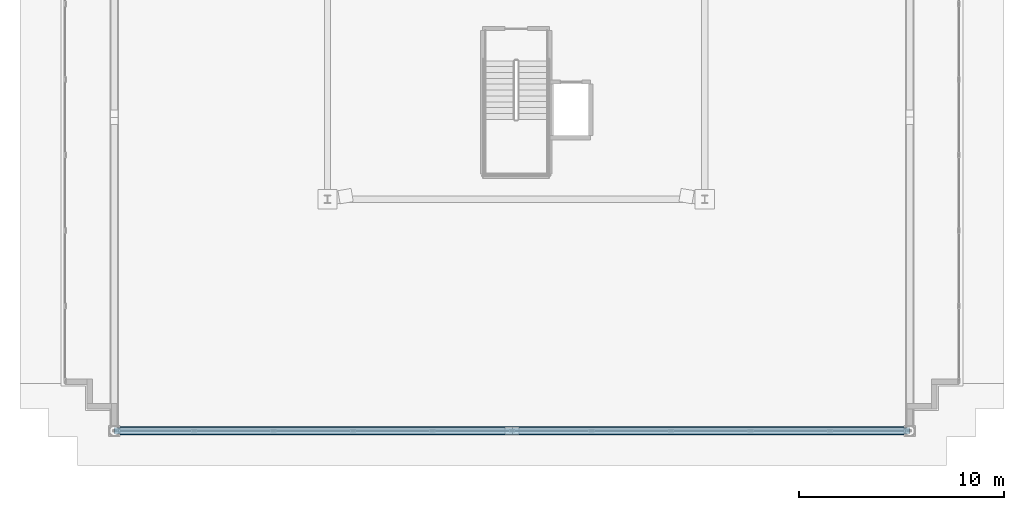
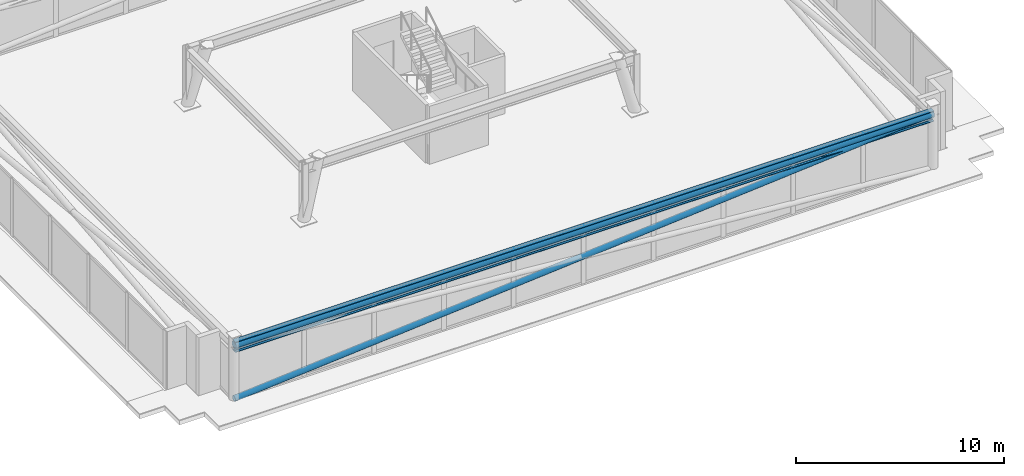
# One storey, part 7 of 23: 2 members, 1 beam.
"""IFC4 building model written with IfcOpenShell, lengths in metres."""

from ifc_helpers import new_model, si_unit, direction, frame, origin, origin_2d, place, context, subcontext, project, spatial, hollow_circle, i_section, extrude, material, material_profile, profile_set, type_object, element, save


model = new_model("IFC4")

# Units and contexts
model_context = context("Model", 3, precision=1e-05, world=origin(), true_north=direction((0.0, 1.0)))
body_context = subcontext(model_context, "Body", "Model", "MODEL_VIEW")
ifc_project = project(units=[si_unit("LENGTHUNIT", "METRE"), si_unit("AREAUNIT", "SQUARE_METRE"), si_unit("VOLUMEUNIT", "CUBIC_METRE"), si_unit("PLANEANGLEUNIT", "RADIAN"), si_unit("MASSUNIT", "GRAM", prefix="KILO")], contexts=[model_context])

# Site, building, storey
site_placement = place(None, origin())
site = spatial("IfcSite", under=ifc_project, at=site_placement, CompositionType="ELEMENT")
building_placement = place(site_placement, origin())
building = spatial("IfcBuilding", under=site, at=building_placement, Name="Qobustan Lattice House", CompositionType="ELEMENT")
storey_placement = place(building_placement, frame((0.0, 0.0, 270.199951171875)))
storey = spatial("IfcBuildingStorey", under=building, at=storey_placement, Name="L76", CompositionType="ELEMENT", Elevation=270.199951171875)

# Beam
ifc_material_1 = material(Name="Steel S355", Category="steel")
ifc_material_profile_1 = material_profile(ifc_material_1, i_section(OverallWidth=0.300048828125, OverallDepth=0.60009765625, WebThickness=0.015380859375, FlangeThickness=0.030029296875, FilletRadius=0.027099609375, at=origin_2d()), Name="HEB600")
ifc_profile_set_1 = profile_set([ifc_material_profile_1], Name="Steel S355")
beam_type = type_object("IfcBeamType", Name="BM-POD-HEB600", PredefinedType="USERDEFINED", material=ifc_profile_set_1)
beam_placement = place(storey_placement, frame((-19.60009765625, -16.89990234375, 3.10009765625), z_axis=(1.0, 0.0, 0.0), x_axis=(0.0, 1.0, 0.0)))
element("IfcBeam", 1, at=beam_placement, inside=storey, type_object=beam_type, Name="L76 crown perimeter ring beam 1", ObjectType="GIRDER", PredefinedType="USERDEFINED", context=body_context, shape_type="SweptSolid", body=[
    extrude(i_section(OverallWidth=0.300048828125, OverallDepth=0.60009765625, WebThickness=0.015380859375, FlangeThickness=0.030029296875, FilletRadius=0.027099609375, at=origin_2d()), origin(), (0.0, 0.0, 1.0), 38.800048828125),
])

# Members
ifc_material_2 = material(Name="Steel S355", Category="steel")
ifc_material_profile_2 = material_profile(ifc_material_2, hollow_circle(Radius=0.161865234375, WallThickness=0.012451171875, at=origin_2d()), Name="CHS323.9x12.5")
ifc_profile_set_2 = profile_set([ifc_material_profile_2], Name="Steel S355")
member_type_1 = type_object("IfcMemberType", Name="MEM-CBR-CHS324", PredefinedType="BRACE", material=ifc_profile_set_2)
member_1_placement = place(storey_placement, frame((-19.60009765625, -16.89990234375, 0.01513671875), z_axis=(0.996689938063, 0.0, 0.081296785698), x_axis=(0.0, 1.0, 0.0)))
element("IfcMember", 2, at=member_1_placement, inside=storey, type_object=member_type_1, Name="L76 crown diagrid continuous brace 1A", PredefinedType="BRACE", context=body_context, shape_type="SweptSolid", body=[
    extrude(hollow_circle(Radius=0.161865234375, WallThickness=0.012451171875, at=origin_2d()), origin(), (0.0, 0.0, 1.0), 38.928955078125),
])
ifc_material_3 = material(Name="Steel S355", Category="steel")
ifc_material_profile_3 = material_profile(ifc_material_3, hollow_circle(Radius=0.203125, WallThickness=0.01611328125, at=origin_2d()), Name="CHS406.4x16")
ifc_profile_set_3 = profile_set([ifc_material_profile_3], Name="Steel S355")
member_type_2 = type_object("IfcMemberType", Name="MEM-RNG-CHS406", PredefinedType="CHORD", material=ifc_profile_set_3)
member_2_placement = place(storey_placement, frame((-19.60009765625, -16.89990234375, 3.179931640625), z_axis=(1.0, 0.0, 0.0), x_axis=(0.0, 1.0, 0.0)))
element("IfcMember", 3, at=member_2_placement, inside=storey, type_object=member_type_2, Name="L76 crown ring chord 1", PredefinedType="CHORD", context=body_context, shape_type="SweptSolid", body=[
    extrude(hollow_circle(Radius=0.203125, WallThickness=0.01611328125, at=origin_2d()), origin(), (0.0, 0.0, 1.0), 38.800048828125),
])

save(model, "model.ifc")
